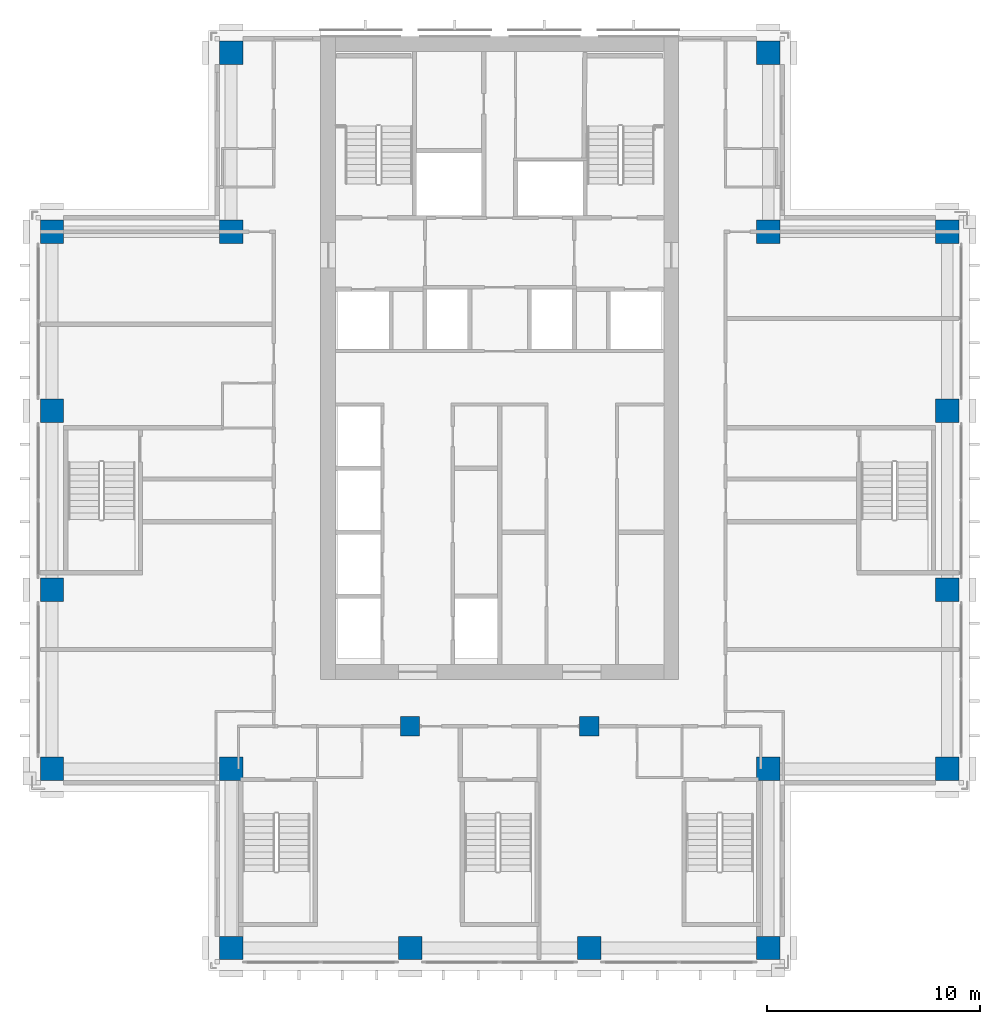
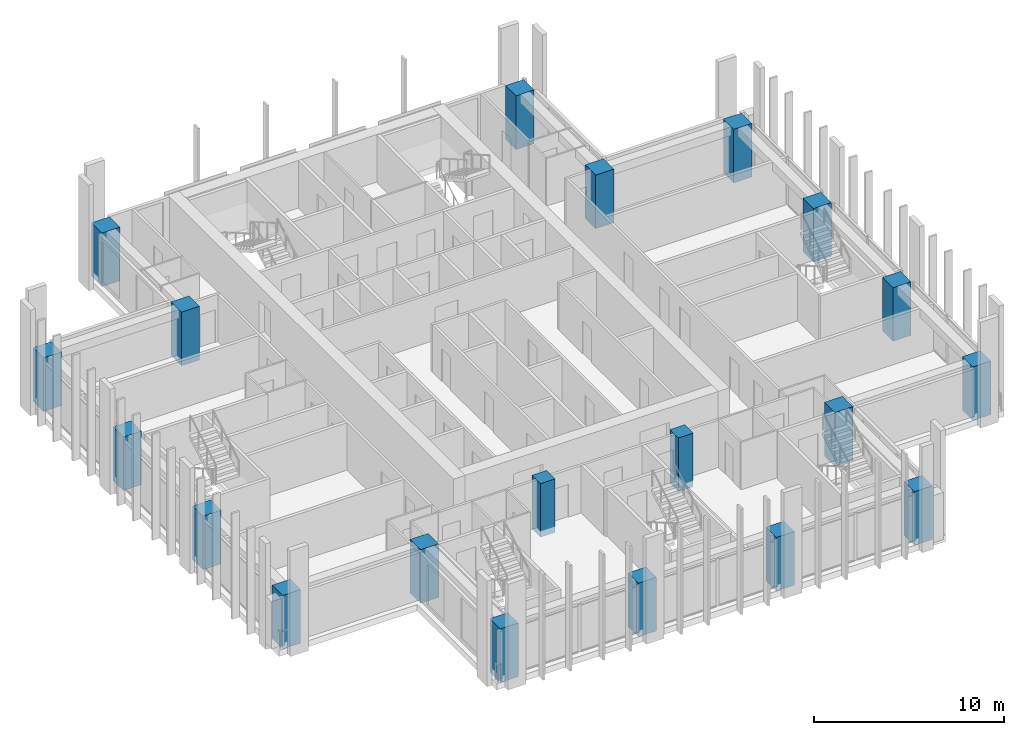
# One storey, part 1 of 16: 20 columns.
"""IFC4 building model written with IfcOpenShell, lengths in metres."""

from ifc_helpers import new_model, si_unit, direction, frame, origin, origin_2d, place, context, subcontext, project, spatial, rectangle, extrude, material, material_profile, profile_set, type_object, element, save


model = new_model("IFC4")

# Units and contexts
model_context = context("Model", 3, precision=1e-05, world=origin(), true_north=direction((0.0, 1.0)))
body_context = subcontext(model_context, "Body", "Model", "MODEL_VIEW")
ifc_project = project(units=[si_unit("LENGTHUNIT", "METRE"), si_unit("AREAUNIT", "SQUARE_METRE"), si_unit("VOLUMEUNIT", "CUBIC_METRE"), si_unit("PLANEANGLEUNIT", "RADIAN"), si_unit("MASSUNIT", "GRAM", prefix="KILO")], contexts=[model_context])

# Site, building, storey
site_placement = place(None, origin())
site = spatial("IfcSite", under=ifc_project, at=site_placement, CompositionType="ELEMENT")
building_placement = place(site_placement, origin())
building = spatial("IfcBuilding", under=site, at=building_placement, Name="Vermilion Ogive Tower", CompositionType="ELEMENT")
storey_placement = place(building_placement, frame((0.0, 0.0, 164.14990234375)))
storey = spatial("IfcBuildingStorey", under=building, at=storey_placement, Name="L42", CompositionType="ELEMENT", Elevation=164.14990234375)

# Columns
ifc_material_1 = material(Name="Concrete B60", Category="concrete")
ifc_material_profile_1 = material_profile(ifc_material_1, rectangle(XDim=1.10009765625, YDim=1.10009765625, at=origin_2d()), Name="1100 x 1100")
ifc_profile_set_1 = profile_set([ifc_material_profile_1], Name="Concrete B60")
column_type_1 = type_object("IfcColumnType", Name="Perimeter column 1100 x 1100 B60", PredefinedType="COLUMN", material=ifc_profile_set_1)
for number, where, z_axis, x_axis, name in (
    (1, (-12.60009765625, -21.0, -0.39990234375), (0.0, 0.0, 1.0), (1.0, 0.0, 0.0), "COL-L42-P-0126-210"),
    (2, (-4.199951171875, -21.0, -0.39990234375), (0.0, 0.0, 1.0), (1.0, 0.0, 0.0), "COL-L42-P-0042-210"),
    (3, (4.199951171875, -21.0, -0.39990234375), (0.0, 0.0, 1.0), (1.0, 0.0, 0.0), "COL-L42-P+0042-210"),
    (4, (12.60009765625, -21.0, -0.39990234375), (0.0, 0.0, 1.0), (1.0, 0.0, 0.0), "COL-L42-P+0126-210"),
    (5, (-21.0, -12.60009765625, -0.39990234375), (0.0, 0.0, 1.0), (1.0, 0.0, 0.0), "COL-L42-P-0210-126"),
    (6, (-12.60009765625, -12.60009765625, -0.39990234375), (0.0, 0.0, 1.0), (1.0, 0.0, 0.0), "COL-L42-P-0126-126"),
    (7, (12.60009765625, -12.60009765625, -0.39990234375), (0.0, 0.0, 1.0), (1.0, 0.0, 0.0), "COL-L42-P+0126-126"),
    (8, (21.0, -12.60009765625, -0.39990234375), (0.0, 0.0, 1.0), (1.0, 0.0, 0.0), "COL-L42-P+0210-126"),
    (9, (-21.0, -4.199951171875, -0.39990234375), (0.0, 0.0, 1.0), (1.0, 0.0, 0.0), "COL-L42-P-0210-042"),
    (10, (21.0, -4.199951171875, -0.39990234375), (0.0, 0.0, 1.0), (1.0, 0.0, 0.0), "COL-L42-P+0210-042"),
    (11, (-21.0, 4.199951171875, -0.39990234375), (0.0, 0.0, 1.0), (1.0, 0.0, 0.0), "COL-L42-P-0210+042"),
    (12, (21.0, 4.199951171875, -0.39990234375), (0.0, 0.0, 1.0), (1.0, 0.0, 0.0), "COL-L42-P+0210+042"),
    (13, (-21.0, 12.60009765625, -0.39990234375), (0.0, 0.0, 1.0), (1.0, 0.0, 0.0), "COL-L42-P-0210+126"),
    (14, (-12.60009765625, 12.60009765625, -0.39990234375), (0.0, 0.0, 1.0), (1.0, 0.0, 0.0), "COL-L42-P-0126+126"),
    (15, (12.60009765625, 12.60009765625, -0.39990234375), (0.0, 0.0, 1.0), (1.0, 0.0, 0.0), "COL-L42-P+0126+126"),
    (16, (21.0, 12.60009765625, -0.39990234375), (0.0, 0.0, 1.0), (1.0, 0.0, 0.0), "COL-L42-P+0210+126"),
    (17, (-12.60009765625, 21.0, -0.39990234375), (0.0, 0.0, 1.0), (1.0, 0.0, 0.0), "COL-L42-P-0126+210"),
    (18, (12.60009765625, 21.0, -0.39990234375), (0.0, 0.0, 1.0), (1.0, 0.0, 0.0), "COL-L42-P+0126+210"),
):
    element("IfcColumn", number, at=place(storey_placement, frame(where, z_axis=z_axis, x_axis=x_axis)), inside=storey, type_object=column_type_1, Name=name, PredefinedType="COLUMN", context=body_context, shape_type="SweptSolid", body=[
        extrude(rectangle(XDim=1.10009765625, YDim=1.10009765625, at=origin_2d()), origin(), (0.0, 0.0, 1.0), 3.449951171875),
    ])
ifc_material_2 = material(Name="Concrete B60", Category="concrete")
ifc_material_profile_2 = material_profile(ifc_material_2, rectangle(XDim=0.89990234375, YDim=0.89990234375, at=origin_2d()), Name="900 x 900")
ifc_profile_set_2 = profile_set([ifc_material_profile_2], Name="Concrete B60")
column_type_2 = type_object("IfcColumnType", Name="Ring column 900 x 900 B60", PredefinedType="COLUMN", material=ifc_profile_set_2)
for number, where, z_axis, x_axis, name in (
    (19, (-4.199951171875, -10.60009765625, -0.39990234375), (0.0, 0.0, 1.0), (1.0, 0.0, 0.0), "COL-L42-R-0042-106"),
    (20, (4.199951171875, -10.60009765625, -0.39990234375), (0.0, 0.0, 1.0), (1.0, 0.0, 0.0), "COL-L42-R+0042-106"),
):
    element("IfcColumn", number, at=place(storey_placement, frame(where, z_axis=z_axis, x_axis=x_axis)), inside=storey, type_object=column_type_2, Name=name, PredefinedType="COLUMN", context=body_context, shape_type="SweptSolid", body=[
        extrude(rectangle(XDim=0.89990234375, YDim=0.89990234375, at=origin_2d()), origin(), (0.0, 0.0, 1.0), 3.449951171875),
    ])

save(model, "model.ifc")
